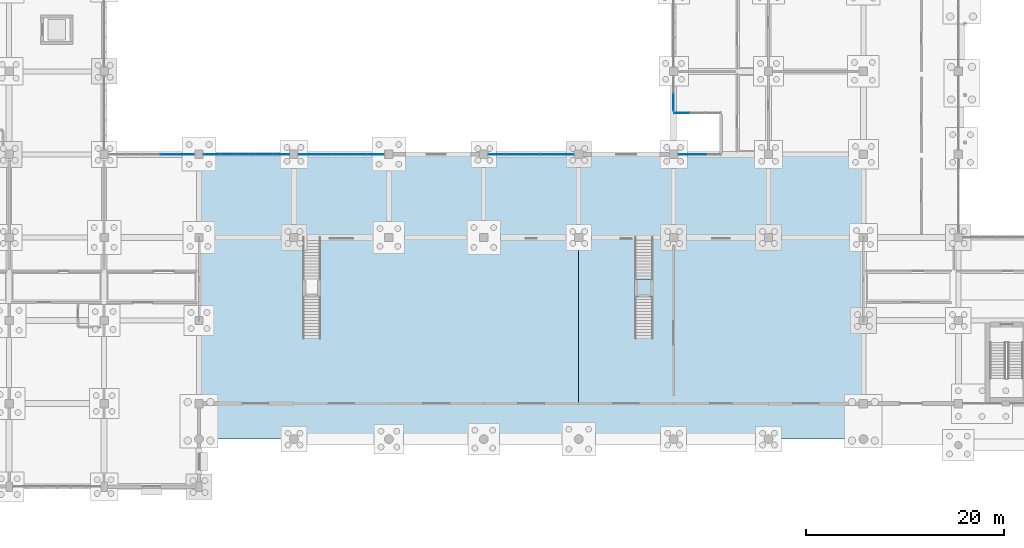
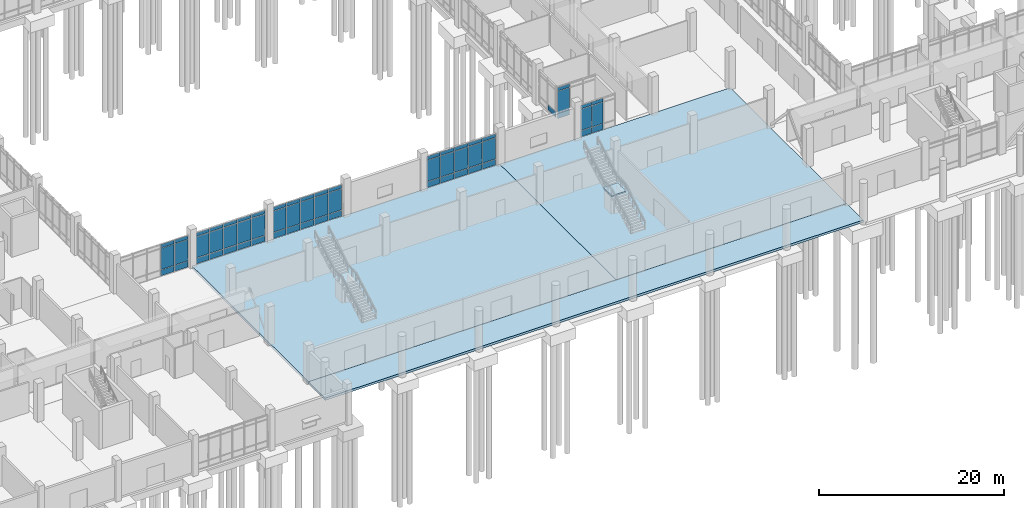
# One storey, part 75 of 136: 61 plates, 4 slabs, 8 elements without a shape of their own.
"""IFC4 building model written with IfcOpenShell, lengths in metres."""

from ifc_helpers import new_model, si_unit, direction, frame, origin, origin_2d, place, context, subcontext, project, spatial, polyline, rectangle, outline, extrude, material, layer, layer_set, type_object, element, aggregate, save


model = new_model("IFC4")

# Units and contexts
model_context = context("Model", 3, precision=1e-05, world=origin(), true_north=direction((0.0, 1.0)))
body_context = subcontext(model_context, "Body", "Model", "MODEL_VIEW")
ifc_project = project(units=[si_unit("LENGTHUNIT", "METRE"), si_unit("AREAUNIT", "SQUARE_METRE"), si_unit("VOLUMEUNIT", "CUBIC_METRE"), si_unit("PLANEANGLEUNIT", "RADIAN"), si_unit("MASSUNIT", "GRAM", prefix="KILO")], contexts=[model_context])

# Site, building, storey
site_placement = place(None, origin())
site = spatial("IfcSite", under=ifc_project, at=site_placement, CompositionType="ELEMENT")
building_placement = place(site_placement, origin())
building = spatial("IfcBuilding", under=site, at=building_placement, Name="Oolite Switchyard Hospital", CompositionType="ELEMENT")
storey_placement = place(building_placement, origin())
storey = spatial("IfcBuildingStorey", under=building, at=storey_placement, Name="L00", CompositionType="ELEMENT", Elevation=0.0)

# Curtain wall, plates
ifc_material_1 = material(Name="Thermally broken aluminum frame with laminated impact glazing", Category="aluminium")
curtain_wall_type_1 = type_object("IfcCurtainWallType", Name="CW-UNIT-96X51", PredefinedType="USERDEFINED", material=ifc_material_1)
curtain_wall_1_placement = place(storey_placement, origin())
curtain_wall_1 = element("IfcCurtainWall", 1, at=curtain_wall_1_placement, inside=storey, type_object=curtain_wall_type_1, Name="L00 Unitised Curtain Wall 14", ObjectType="UNITISED", PredefinedType="USERDEFINED")
ifc_material_2 = material(Name="Insulated fluoropolymer-coated aluminum spandrel panel", Category="aluminium")
ifc_layer_1 = layer(ifc_material_2, 0.054931640625)
ifc_layer_set_1 = layer_set([ifc_layer_1], Name="CW-PNL-SPN55")
plate_type_1 = type_object("IfcPlateType", Name="CW-PNL-SPN55", PredefinedType="CURTAIN_PANEL", material=ifc_layer_set_1)
plate_1_placement = place(storey_placement, frame((64.14404296875, 33.60009765625, 0.06005859375), z_axis=(0.0, 0.0, 1.0), x_axis=(1.0, 0.0, 0.0)))
plate_1 = element("IfcPlate", 2, at=plate_1_placement, type_object=plate_type_1, Name="CW-01 panel 4.1", PredefinedType="CURTAIN_PANEL", context=body_context, shape_type="SweptSolid", body=[
    extrude(rectangle(XDim=1.6689453125, YDim=0.054931640625, at=origin_2d()), origin(), (0.0, 0.0, 1.0), 0.760009765625),
])
plate_2_placement = place(storey_placement, frame((64.14404296875, 33.60009765625, 0.8798828125), z_axis=(0.0, 0.0, 1.0), x_axis=(1.0, 0.0, 0.0)))
plate_2 = element("IfcPlate", 3, at=plate_2_placement, type_object=plate_type_1, Name="CW-01 panel 4.2", PredefinedType="CURTAIN_PANEL", context=body_context, shape_type="SweptSolid", body=[
    extrude(rectangle(XDim=1.6689453125, YDim=0.054931640625, at=origin_2d()), origin(), (0.0, 0.0, 1.0), 2.780029296875),
])
plate_3_placement = place(storey_placement, frame((64.14404296875, 33.60009765625, 3.719970703125), z_axis=(0.0, 0.0, 1.0), x_axis=(1.0, 0.0, 0.0)))
plate_3 = element("IfcPlate", 4, at=plate_3_placement, type_object=plate_type_1, Name="CW-01 panel 4.3", PredefinedType="CURTAIN_PANEL", context=body_context, shape_type="SweptSolid", body=[
    extrude(rectangle(XDim=1.6689453125, YDim=0.054931640625, at=origin_2d()), origin(), (0.0, 0.0, 1.0), 0.4599609375),
])
plate_4_placement = place(storey_placement, frame((65.869140625, 33.60009765625, 0.06005859375), z_axis=(0.0, 0.0, 1.0), x_axis=(1.0, 0.0, 0.0)))
plate_4 = element("IfcPlate", 5, at=plate_4_placement, type_object=plate_type_1, Name="CW-01 panel 5.1", PredefinedType="CURTAIN_PANEL", context=body_context, shape_type="SweptSolid", body=[
    extrude(rectangle(XDim=1.631591796875, YDim=0.054931640625, at=origin_2d()), origin(), (0.0, 0.0, 1.0), 0.760009765625),
])
plate_5_placement = place(storey_placement, frame((65.869140625, 33.60009765625, 0.8798828125), z_axis=(0.0, 0.0, 1.0), x_axis=(1.0, 0.0, 0.0)))
plate_5 = element("IfcPlate", 6, at=plate_5_placement, type_object=plate_type_1, Name="CW-01 panel 5.2", PredefinedType="CURTAIN_PANEL", context=body_context, shape_type="SweptSolid", body=[
    extrude(rectangle(XDim=1.631591796875, YDim=0.054931640625, at=origin_2d()), origin(), (0.0, 0.0, 1.0), 2.780029296875),
])
plate_6_placement = place(storey_placement, frame((65.869140625, 33.60009765625, 3.719970703125), z_axis=(0.0, 0.0, 1.0), x_axis=(1.0, 0.0, 0.0)))
plate_6 = element("IfcPlate", 7, at=plate_6_placement, type_object=plate_type_1, Name="CW-01 panel 5.3", PredefinedType="CURTAIN_PANEL", context=body_context, shape_type="SweptSolid", body=[
    extrude(rectangle(XDim=1.631591796875, YDim=0.054931640625, at=origin_2d()), origin(), (0.0, 0.0, 1.0), 0.4599609375),
])
aggregate(curtain_wall_1, [plate_1, plate_2, plate_3, plate_4, plate_5, plate_6])

curtain_wall_type_2 = type_object("IfcCurtainWallType", Name="CW-UNIT-84X51", PredefinedType="USERDEFINED", material=ifc_material_1)
curtain_wall_2_placement = place(storey_placement, origin())
curtain_wall_2 = element("IfcCurtainWall", 8, at=curtain_wall_2_placement, inside=storey, type_object=curtain_wall_type_2, Name="L00 Unitised Curtain Wall 19", ObjectType="UNITISED", PredefinedType="USERDEFINED")
plate_7_placement = place(storey_placement, frame((116.017578125, 37.800048828125, 0.0751953125), z_axis=(0.0, 0.0, 1.0), x_axis=(-1.0, 0.0, 0.0)))
plate_7 = element("IfcPlate", 9, at=plate_7_placement, type_object=plate_type_1, Name="CW-06 panel 3.1", PredefinedType="CURTAIN_PANEL", context=body_context, shape_type="SweptSolid", body=[
    extrude(rectangle(XDim=1.4951171875, YDim=0.054931640625, at=origin_2d()), origin(), (0.0, 0.0, 1.0), 0.737548828125),
])
plate_8_placement = place(storey_placement, frame((116.017578125, 37.800048828125, 0.8876953125), z_axis=(0.0, 0.0, 1.0), x_axis=(-1.0, 0.0, 0.0)))
plate_8 = element("IfcPlate", 10, at=plate_8_placement, type_object=plate_type_1, Name="CW-06 panel 3.2", PredefinedType="CURTAIN_PANEL", context=body_context, shape_type="SweptSolid", body=[
    extrude(rectangle(XDim=1.4951171875, YDim=0.054931640625, at=origin_2d()), origin(), (0.0, 0.0, 1.0), 2.764892578125),
])
plate_9_placement = place(storey_placement, frame((116.017578125, 37.800048828125, 3.7275390625), z_axis=(0.0, 0.0, 1.0), x_axis=(-1.0, 0.0, 0.0)))
plate_9 = element("IfcPlate", 11, at=plate_9_placement, type_object=plate_type_1, Name="CW-06 panel 3.3", PredefinedType="CURTAIN_PANEL", context=body_context, shape_type="SweptSolid", body=[
    extrude(rectangle(XDim=1.4951171875, YDim=0.054931640625, at=origin_2d()), origin(), (0.0, 0.0, 1.0), 0.4375),
])
aggregate(curtain_wall_2, [plate_7, plate_8, plate_9])

curtain_wall_3_placement = place(storey_placement, origin())
curtain_wall_3 = element("IfcCurtainWall", 12, at=curtain_wall_3_placement, inside=storey, type_object=curtain_wall_type_1, Name="L00 Unitised Curtain Wall 17", ObjectType="UNITISED", PredefinedType="USERDEFINED")
ifc_layer_2 = layer(ifc_material_2, 0.070068359375)
ifc_layer_set_2 = layer_set([ifc_layer_2], Name="CW-PNL-SPN70")
plate_type_2 = type_object("IfcPlateType", Name="CW-PNL-SPN70", PredefinedType="CURTAIN_PANEL", material=ifc_layer_set_2)
plate_10_placement = place(storey_placement, frame((97.330810546875, 33.60009765625, 0.0751953125), z_axis=(0.0, 0.0, 1.0), x_axis=(1.0, 0.0, 0.0)))
plate_10 = element("IfcPlate", 13, at=plate_10_placement, type_object=plate_type_2, Name="CW-01 panel 1.1", PredefinedType="CURTAIN_PANEL", context=body_context, shape_type="SweptSolid", body=[
    extrude(rectangle(XDim=1.631591796875, YDim=0.070068359375, at=origin_2d()), origin(), (0.0, 0.0, 1.0), 0.737548828125),
])
plate_11_placement = place(storey_placement, frame((97.330810546875, 33.60009765625, 0.8876953125), z_axis=(0.0, 0.0, 1.0), x_axis=(1.0, 0.0, 0.0)))
plate_11 = element("IfcPlate", 14, at=plate_11_placement, type_object=plate_type_2, Name="CW-01 panel 1.2", PredefinedType="CURTAIN_PANEL", context=body_context, shape_type="SweptSolid", body=[
    extrude(rectangle(XDim=1.631591796875, YDim=0.070068359375, at=origin_2d()), origin(), (0.0, 0.0, 1.0), 2.764892578125),
])
plate_12_placement = place(storey_placement, frame((97.330810546875, 33.60009765625, 3.7275390625), z_axis=(0.0, 0.0, 1.0), x_axis=(1.0, 0.0, 0.0)))
plate_12 = element("IfcPlate", 15, at=plate_12_placement, type_object=plate_type_2, Name="CW-01 panel 1.3", PredefinedType="CURTAIN_PANEL", context=body_context, shape_type="SweptSolid", body=[
    extrude(rectangle(XDim=1.631591796875, YDim=0.070068359375, at=origin_2d()), origin(), (0.0, 0.0, 1.0), 0.4375),
])
plate_13_placement = place(storey_placement, frame((99.055908203125, 33.60009765625, 0.0751953125), z_axis=(0.0, 0.0, 1.0), x_axis=(1.0, 0.0, 0.0)))
plate_13 = element("IfcPlate", 16, at=plate_13_placement, type_object=plate_type_2, Name="CW-01 panel 2.1", PredefinedType="CURTAIN_PANEL", context=body_context, shape_type="SweptSolid", body=[
    extrude(rectangle(XDim=1.6689453125, YDim=0.070068359375, at=origin_2d()), origin(), (0.0, 0.0, 1.0), 0.737548828125),
])
plate_14_placement = place(storey_placement, frame((99.055908203125, 33.60009765625, 0.8876953125), z_axis=(0.0, 0.0, 1.0), x_axis=(1.0, 0.0, 0.0)))
plate_14 = element("IfcPlate", 17, at=plate_14_placement, type_object=plate_type_2, Name="CW-01 panel 2.2", PredefinedType="CURTAIN_PANEL", context=body_context, shape_type="SweptSolid", body=[
    extrude(rectangle(XDim=1.6689453125, YDim=0.070068359375, at=origin_2d()), origin(), (0.0, 0.0, 1.0), 2.764892578125),
])
plate_15_placement = place(storey_placement, frame((99.055908203125, 33.60009765625, 3.7275390625), z_axis=(0.0, 0.0, 1.0), x_axis=(1.0, 0.0, 0.0)))
plate_15 = element("IfcPlate", 18, at=plate_15_placement, type_object=plate_type_2, Name="CW-01 panel 2.3", PredefinedType="CURTAIN_PANEL", context=body_context, shape_type="SweptSolid", body=[
    extrude(rectangle(XDim=1.6689453125, YDim=0.070068359375, at=origin_2d()), origin(), (0.0, 0.0, 1.0), 0.4375),
])
plate_16_placement = place(storey_placement, frame((100.800048828125, 33.60009765625, 0.0751953125), z_axis=(0.0, 0.0, 1.0), x_axis=(1.0, 0.0, 0.0)))
plate_16 = element("IfcPlate", 19, at=plate_16_placement, type_object=plate_type_2, Name="CW-01 panel 3.1", PredefinedType="CURTAIN_PANEL", context=body_context, shape_type="SweptSolid", body=[
    extrude(rectangle(XDim=1.6689453125, YDim=0.070068359375, at=origin_2d()), origin(), (0.0, 0.0, 1.0), 0.737548828125),
])
plate_17_placement = place(storey_placement, frame((100.800048828125, 33.60009765625, 0.8876953125), z_axis=(0.0, 0.0, 1.0), x_axis=(1.0, 0.0, 0.0)))
plate_17 = element("IfcPlate", 20, at=plate_17_placement, type_object=plate_type_2, Name="CW-01 panel 3.2", PredefinedType="CURTAIN_PANEL", context=body_context, shape_type="SweptSolid", body=[
    extrude(rectangle(XDim=1.6689453125, YDim=0.070068359375, at=origin_2d()), origin(), (0.0, 0.0, 1.0), 2.764892578125),
])
plate_18_placement = place(storey_placement, frame((100.800048828125, 33.60009765625, 3.7275390625), z_axis=(0.0, 0.0, 1.0), x_axis=(1.0, 0.0, 0.0)))
plate_18 = element("IfcPlate", 21, at=plate_18_placement, type_object=plate_type_2, Name="CW-01 panel 3.3", PredefinedType="CURTAIN_PANEL", context=body_context, shape_type="SweptSolid", body=[
    extrude(rectangle(XDim=1.6689453125, YDim=0.070068359375, at=origin_2d()), origin(), (0.0, 0.0, 1.0), 0.4375),
])
plate_19_placement = place(storey_placement, frame((102.5439453125, 33.60009765625, 0.0751953125), z_axis=(0.0, 0.0, 1.0), x_axis=(1.0, 0.0, 0.0)))
plate_19 = element("IfcPlate", 22, at=plate_19_placement, type_object=plate_type_2, Name="CW-01 panel 4.1", PredefinedType="CURTAIN_PANEL", context=body_context, shape_type="SweptSolid", body=[
    extrude(rectangle(XDim=1.6689453125, YDim=0.070068359375, at=origin_2d()), origin(), (0.0, 0.0, 1.0), 0.737548828125),
])
plate_20_placement = place(storey_placement, frame((102.5439453125, 33.60009765625, 0.8876953125), z_axis=(0.0, 0.0, 1.0), x_axis=(1.0, 0.0, 0.0)))
plate_20 = element("IfcPlate", 23, at=plate_20_placement, type_object=plate_type_2, Name="CW-01 panel 4.2", PredefinedType="CURTAIN_PANEL", context=body_context, shape_type="SweptSolid", body=[
    extrude(rectangle(XDim=1.6689453125, YDim=0.070068359375, at=origin_2d()), origin(), (0.0, 0.0, 1.0), 2.764892578125),
])
plate_21_placement = place(storey_placement, frame((102.5439453125, 33.60009765625, 3.7275390625), z_axis=(0.0, 0.0, 1.0), x_axis=(1.0, 0.0, 0.0)))
plate_21 = element("IfcPlate", 24, at=plate_21_placement, type_object=plate_type_2, Name="CW-01 panel 4.3", PredefinedType="CURTAIN_PANEL", context=body_context, shape_type="SweptSolid", body=[
    extrude(rectangle(XDim=1.6689453125, YDim=0.070068359375, at=origin_2d()), origin(), (0.0, 0.0, 1.0), 0.4375),
])
plate_22_placement = place(storey_placement, frame((104.269287109375, 33.60009765625, 0.0751953125), z_axis=(0.0, 0.0, 1.0), x_axis=(1.0, 0.0, 0.0)))
plate_22 = element("IfcPlate", 25, at=plate_22_placement, type_object=plate_type_2, Name="CW-01 panel 5.1", PredefinedType="CURTAIN_PANEL", context=body_context, shape_type="SweptSolid", body=[
    extrude(rectangle(XDim=1.631591796875, YDim=0.070068359375, at=origin_2d()), origin(), (0.0, 0.0, 1.0), 0.737548828125),
])
plate_23_placement = place(storey_placement, frame((104.269287109375, 33.60009765625, 0.8876953125), z_axis=(0.0, 0.0, 1.0), x_axis=(1.0, 0.0, 0.0)))
plate_23 = element("IfcPlate", 26, at=plate_23_placement, type_object=plate_type_2, Name="CW-01 panel 5.2", PredefinedType="CURTAIN_PANEL", context=body_context, shape_type="SweptSolid", body=[
    extrude(rectangle(XDim=1.631591796875, YDim=0.070068359375, at=origin_2d()), origin(), (0.0, 0.0, 1.0), 2.764892578125),
])
plate_24_placement = place(storey_placement, frame((104.269287109375, 33.60009765625, 3.7275390625), z_axis=(0.0, 0.0, 1.0), x_axis=(1.0, 0.0, 0.0)))
plate_24 = element("IfcPlate", 27, at=plate_24_placement, type_object=plate_type_2, Name="CW-01 panel 5.3", PredefinedType="CURTAIN_PANEL", context=body_context, shape_type="SweptSolid", body=[
    extrude(rectangle(XDim=1.631591796875, YDim=0.070068359375, at=origin_2d()), origin(), (0.0, 0.0, 1.0), 0.4375),
])
aggregate(curtain_wall_3, [plate_10, plate_11, plate_12, plate_13, plate_14, plate_15, plate_16, plate_17, plate_18, plate_19, plate_20, plate_21, plate_22, plate_23, plate_24])

curtain_wall_4_placement = place(storey_placement, origin())
curtain_wall_4 = element("IfcCurtainWall", 28, at=curtain_wall_4_placement, inside=storey, type_object=curtain_wall_type_1, Name="L00 Unitised Curtain Wall 15", ObjectType="UNITISED", PredefinedType="USERDEFINED")
ifc_material_3 = material(Name="Laminated hurricane-impact insulated glazing unit", Category="glass")
ifc_layer_3 = layer(ifc_material_3, 0.028076171875)
ifc_layer_set_3 = layer_set([ifc_layer_3], Name="CW-PNL-VIS28")
plate_type_3 = type_object("IfcPlateType", Name="CW-PNL-VIS28", PredefinedType="CURTAIN_PANEL", material=ifc_layer_set_3)
plate_25_placement = place(storey_placement, frame((68.527099609375, 33.60009765625, 0.0751953125), z_axis=(0.0, 0.0, 1.0), x_axis=(1.0, 0.0, 0.0)))
plate_25 = element("IfcPlate", 29, at=plate_25_placement, type_object=plate_type_3, Name="CW-01 panel 1.1", PredefinedType="CURTAIN_PANEL", context=body_context, shape_type="SweptSolid", body=[
    extrude(rectangle(XDim=1.654052734375, YDim=0.028076171875, at=origin_2d()), origin(), (0.0, 0.0, 1.0), 0.737548828125),
])
plate_26_placement = place(storey_placement, frame((68.527099609375, 33.60009765625, 0.8876953125), z_axis=(0.0, 0.0, 1.0), x_axis=(1.0, 0.0, 0.0)))
plate_26 = element("IfcPlate", 30, at=plate_26_placement, type_object=plate_type_3, Name="CW-01 panel 1.2", PredefinedType="CURTAIN_PANEL", context=body_context, shape_type="SweptSolid", body=[
    extrude(rectangle(XDim=1.654052734375, YDim=0.028076171875, at=origin_2d()), origin(), (0.0, 0.0, 1.0), 2.764892578125),
])
plate_27_placement = place(storey_placement, frame((68.527099609375, 33.60009765625, 3.7275390625), z_axis=(0.0, 0.0, 1.0), x_axis=(1.0, 0.0, 0.0)))
plate_27 = element("IfcPlate", 31, at=plate_27_placement, type_object=plate_type_3, Name="CW-01 panel 1.3", PredefinedType="CURTAIN_PANEL", context=body_context, shape_type="SweptSolid", body=[
    extrude(rectangle(XDim=1.654052734375, YDim=0.028076171875, at=origin_2d()), origin(), (0.0, 0.0, 1.0), 0.4375),
])
plate_28_placement = place(storey_placement, frame((70.256103515625, 33.60009765625, 0.0751953125), z_axis=(0.0, 0.0, 1.0), x_axis=(1.0, 0.0, 0.0)))
plate_28 = element("IfcPlate", 32, at=plate_28_placement, type_object=plate_type_3, Name="CW-01 panel 2.1", PredefinedType="CURTAIN_PANEL", context=body_context, shape_type="SweptSolid", body=[
    extrude(rectangle(XDim=1.68408203125, YDim=0.028076171875, at=origin_2d()), origin(), (0.0, 0.0, 1.0), 0.737548828125),
])
plate_29_placement = place(storey_placement, frame((70.256103515625, 33.60009765625, 0.8876953125), z_axis=(0.0, 0.0, 1.0), x_axis=(1.0, 0.0, 0.0)))
plate_29 = element("IfcPlate", 33, at=plate_29_placement, type_object=plate_type_3, Name="CW-01 panel 2.2", PredefinedType="CURTAIN_PANEL", context=body_context, shape_type="SweptSolid", body=[
    extrude(rectangle(XDim=1.68408203125, YDim=0.028076171875, at=origin_2d()), origin(), (0.0, 0.0, 1.0), 2.764892578125),
])
plate_30_placement = place(storey_placement, frame((70.256103515625, 33.60009765625, 3.7275390625), z_axis=(0.0, 0.0, 1.0), x_axis=(1.0, 0.0, 0.0)))
plate_30 = element("IfcPlate", 34, at=plate_30_placement, type_object=plate_type_3, Name="CW-01 panel 2.3", PredefinedType="CURTAIN_PANEL", context=body_context, shape_type="SweptSolid", body=[
    extrude(rectangle(XDim=1.68408203125, YDim=0.028076171875, at=origin_2d()), origin(), (0.0, 0.0, 1.0), 0.4375),
])
plate_31_placement = place(storey_placement, frame((72.0, 33.60009765625, 0.0751953125), z_axis=(0.0, 0.0, 1.0), x_axis=(1.0, 0.0, 0.0)))
plate_31 = element("IfcPlate", 35, at=plate_31_placement, type_object=plate_type_3, Name="CW-01 panel 3.1", PredefinedType="CURTAIN_PANEL", context=body_context, shape_type="SweptSolid", body=[
    extrude(rectangle(XDim=1.68408203125, YDim=0.028076171875, at=origin_2d()), origin(), (0.0, 0.0, 1.0), 0.737548828125),
])
plate_32_placement = place(storey_placement, frame((72.0, 33.60009765625, 0.8876953125), z_axis=(0.0, 0.0, 1.0), x_axis=(1.0, 0.0, 0.0)))
plate_32 = element("IfcPlate", 36, at=plate_32_placement, type_object=plate_type_3, Name="CW-01 panel 3.2", PredefinedType="CURTAIN_PANEL", context=body_context, shape_type="SweptSolid", body=[
    extrude(rectangle(XDim=1.68408203125, YDim=0.028076171875, at=origin_2d()), origin(), (0.0, 0.0, 1.0), 2.764892578125),
])
plate_33_placement = place(storey_placement, frame((72.0, 33.60009765625, 3.7275390625), z_axis=(0.0, 0.0, 1.0), x_axis=(1.0, 0.0, 0.0)))
plate_33 = element("IfcPlate", 37, at=plate_33_placement, type_object=plate_type_3, Name="CW-01 panel 3.3", PredefinedType="CURTAIN_PANEL", context=body_context, shape_type="SweptSolid", body=[
    extrude(rectangle(XDim=1.68408203125, YDim=0.028076171875, at=origin_2d()), origin(), (0.0, 0.0, 1.0), 0.4375),
])
plate_34_placement = place(storey_placement, frame((73.743896484375, 33.60009765625, 0.0751953125), z_axis=(0.0, 0.0, 1.0), x_axis=(1.0, 0.0, 0.0)))
plate_34 = element("IfcPlate", 38, at=plate_34_placement, type_object=plate_type_3, Name="CW-01 panel 4.1", PredefinedType="CURTAIN_PANEL", context=body_context, shape_type="SweptSolid", body=[
    extrude(rectangle(XDim=1.68408203125, YDim=0.028076171875, at=origin_2d()), origin(), (0.0, 0.0, 1.0), 0.737548828125),
])
plate_35_placement = place(storey_placement, frame((73.743896484375, 33.60009765625, 0.8876953125), z_axis=(0.0, 0.0, 1.0), x_axis=(1.0, 0.0, 0.0)))
plate_35 = element("IfcPlate", 39, at=plate_35_placement, type_object=plate_type_3, Name="CW-01 panel 4.2", PredefinedType="CURTAIN_PANEL", context=body_context, shape_type="SweptSolid", body=[
    extrude(rectangle(XDim=1.68408203125, YDim=0.028076171875, at=origin_2d()), origin(), (0.0, 0.0, 1.0), 2.764892578125),
])
plate_36_placement = place(storey_placement, frame((73.743896484375, 33.60009765625, 3.7275390625), z_axis=(0.0, 0.0, 1.0), x_axis=(1.0, 0.0, 0.0)))
plate_36 = element("IfcPlate", 40, at=plate_36_placement, type_object=plate_type_3, Name="CW-01 panel 4.3", PredefinedType="CURTAIN_PANEL", context=body_context, shape_type="SweptSolid", body=[
    extrude(rectangle(XDim=1.68408203125, YDim=0.028076171875, at=origin_2d()), origin(), (0.0, 0.0, 1.0), 0.4375),
])
plate_37_placement = place(storey_placement, frame((75.472900390625, 33.60009765625, 0.0751953125), z_axis=(0.0, 0.0, 1.0), x_axis=(1.0, 0.0, 0.0)))
plate_37 = element("IfcPlate", 41, at=plate_37_placement, type_object=plate_type_3, Name="CW-01 panel 5.1", PredefinedType="CURTAIN_PANEL", context=body_context, shape_type="SweptSolid", body=[
    extrude(rectangle(XDim=1.654052734375, YDim=0.028076171875, at=origin_2d()), origin(), (0.0, 0.0, 1.0), 0.737548828125),
])
plate_38_placement = place(storey_placement, frame((75.472900390625, 33.60009765625, 0.8876953125), z_axis=(0.0, 0.0, 1.0), x_axis=(1.0, 0.0, 0.0)))
plate_38 = element("IfcPlate", 42, at=plate_38_placement, type_object=plate_type_3, Name="CW-01 panel 5.2", PredefinedType="CURTAIN_PANEL", context=body_context, shape_type="SweptSolid", body=[
    extrude(rectangle(XDim=1.654052734375, YDim=0.028076171875, at=origin_2d()), origin(), (0.0, 0.0, 1.0), 2.764892578125),
])
plate_39_placement = place(storey_placement, frame((75.472900390625, 33.60009765625, 3.7275390625), z_axis=(0.0, 0.0, 1.0), x_axis=(1.0, 0.0, 0.0)))
plate_39 = element("IfcPlate", 43, at=plate_39_placement, type_object=plate_type_3, Name="CW-01 panel 5.3", PredefinedType="CURTAIN_PANEL", context=body_context, shape_type="SweptSolid", body=[
    extrude(rectangle(XDim=1.654052734375, YDim=0.028076171875, at=origin_2d()), origin(), (0.0, 0.0, 1.0), 0.4375),
])
aggregate(curtain_wall_4, [plate_25, plate_26, plate_27, plate_28, plate_29, plate_30, plate_31, plate_32, plate_33, plate_34, plate_35, plate_36, plate_37, plate_38, plate_39])

# Curtain wall, plate
curtain_wall_5_placement = place(storey_placement, origin())
curtain_wall_5 = element("IfcCurtainWall", 44, at=curtain_wall_5_placement, inside=storey, type_object=curtain_wall_type_2, Name="L00 Unitised Curtain Wall 67", ObjectType="UNITISED", PredefinedType="USERDEFINED")
plate_40_placement = place(storey_placement, frame((115.199951171875, 38.87744140625, 0.0751953125), z_axis=(0.0, 0.0, 1.0), x_axis=(0.0, 1.0, 0.0)))
plate_40 = element("IfcPlate", 45, at=plate_40_placement, type_object=plate_type_3, Name="CW-06 panel 1.1", PredefinedType="CURTAIN_PANEL", context=body_context, shape_type="SweptSolid", body=[
    extrude(rectangle(XDim=1.695068359375, YDim=0.028076171875, at=origin_2d()), origin(), (0.0, 0.0, 1.0), 0.737548828125),
])
aggregate(curtain_wall_5, [plate_40])

# Curtain wall, plates
curtain_wall_6_placement = place(storey_placement, origin())
curtain_wall_6 = element("IfcCurtainWall", 46, at=curtain_wall_6_placement, inside=storey, type_object=curtain_wall_type_1, Name="L00 Unitised Curtain Wall 16", ObjectType="UNITISED", PredefinedType="USERDEFINED")
ifc_layer_4 = layer(ifc_material_3, 0.035888671875)
ifc_layer_set_4 = layer_set([ifc_layer_4], Name="CW-PNL-VIS36")
plate_type_4 = type_object("IfcPlateType", Name="CW-PNL-VIS36", PredefinedType="CURTAIN_PANEL", material=ifc_layer_set_4)
plate_41_placement = place(storey_placement, frame((78.12939453125, 33.60009765625, 0.06005859375), z_axis=(0.0, 0.0, 1.0), x_axis=(1.0, 0.0, 0.0)))
plate_41 = element("IfcPlate", 47, at=plate_41_placement, type_object=plate_type_4, Name="CW-01 panel 1.1", PredefinedType="CURTAIN_PANEL", context=body_context, shape_type="SweptSolid", body=[
    extrude(rectangle(XDim=1.638916015625, YDim=0.035888671875, at=origin_2d()), origin(), (0.0, 0.0, 1.0), 0.760009765625),
])
plate_42_placement = place(storey_placement, frame((78.12939453125, 33.60009765625, 0.8798828125), z_axis=(0.0, 0.0, 1.0), x_axis=(1.0, 0.0, 0.0)))
plate_42 = element("IfcPlate", 48, at=plate_42_placement, type_object=plate_type_4, Name="CW-01 panel 1.2", PredefinedType="CURTAIN_PANEL", context=body_context, shape_type="SweptSolid", body=[
    extrude(rectangle(XDim=1.638916015625, YDim=0.035888671875, at=origin_2d()), origin(), (0.0, 0.0, 1.0), 2.780029296875),
])
plate_43_placement = place(storey_placement, frame((78.12939453125, 33.60009765625, 3.719970703125), z_axis=(0.0, 0.0, 1.0), x_axis=(1.0, 0.0, 0.0)))
plate_43 = element("IfcPlate", 49, at=plate_43_placement, type_object=plate_type_4, Name="CW-01 panel 1.3", PredefinedType="CURTAIN_PANEL", context=body_context, shape_type="SweptSolid", body=[
    extrude(rectangle(XDim=1.638916015625, YDim=0.035888671875, at=origin_2d()), origin(), (0.0, 0.0, 1.0), 0.4599609375),
])
plate_44_placement = place(storey_placement, frame((79.85595703125, 33.60009765625, 0.06005859375), z_axis=(0.0, 0.0, 1.0), x_axis=(1.0, 0.0, 0.0)))
plate_44 = element("IfcPlate", 50, at=plate_44_placement, type_object=plate_type_4, Name="CW-01 panel 2.1", PredefinedType="CURTAIN_PANEL", context=body_context, shape_type="SweptSolid", body=[
    extrude(rectangle(XDim=1.674072265625, YDim=0.035888671875, at=origin_2d()), origin(), (0.0, 0.0, 1.0), 0.760009765625),
])
plate_45_placement = place(storey_placement, frame((79.85595703125, 33.60009765625, 0.8798828125), z_axis=(0.0, 0.0, 1.0), x_axis=(1.0, 0.0, 0.0)))
plate_45 = element("IfcPlate", 51, at=plate_45_placement, type_object=plate_type_4, Name="CW-01 panel 2.2", PredefinedType="CURTAIN_PANEL", context=body_context, shape_type="SweptSolid", body=[
    extrude(rectangle(XDim=1.674072265625, YDim=0.035888671875, at=origin_2d()), origin(), (0.0, 0.0, 1.0), 2.780029296875),
])
plate_46_placement = place(storey_placement, frame((79.85595703125, 33.60009765625, 3.719970703125), z_axis=(0.0, 0.0, 1.0), x_axis=(1.0, 0.0, 0.0)))
plate_46 = element("IfcPlate", 52, at=plate_46_placement, type_object=plate_type_4, Name="CW-01 panel 2.3", PredefinedType="CURTAIN_PANEL", context=body_context, shape_type="SweptSolid", body=[
    extrude(rectangle(XDim=1.674072265625, YDim=0.035888671875, at=origin_2d()), origin(), (0.0, 0.0, 1.0), 0.4599609375),
])
plate_47_placement = place(storey_placement, frame((81.60009765625, 33.60009765625, 0.06005859375), z_axis=(0.0, 0.0, 1.0), x_axis=(1.0, 0.0, 0.0)))
plate_47 = element("IfcPlate", 53, at=plate_47_placement, type_object=plate_type_4, Name="CW-01 panel 3.1", PredefinedType="CURTAIN_PANEL", context=body_context, shape_type="SweptSolid", body=[
    extrude(rectangle(XDim=1.674072265625, YDim=0.035888671875, at=origin_2d()), origin(), (0.0, 0.0, 1.0), 0.760009765625),
])
plate_48_placement = place(storey_placement, frame((81.60009765625, 33.60009765625, 0.8798828125), z_axis=(0.0, 0.0, 1.0), x_axis=(1.0, 0.0, 0.0)))
plate_48 = element("IfcPlate", 54, at=plate_48_placement, type_object=plate_type_4, Name="CW-01 panel 3.2", PredefinedType="CURTAIN_PANEL", context=body_context, shape_type="SweptSolid", body=[
    extrude(rectangle(XDim=1.674072265625, YDim=0.035888671875, at=origin_2d()), origin(), (0.0, 0.0, 1.0), 2.780029296875),
])
plate_49_placement = place(storey_placement, frame((81.60009765625, 33.60009765625, 3.719970703125), z_axis=(0.0, 0.0, 1.0), x_axis=(1.0, 0.0, 0.0)))
plate_49 = element("IfcPlate", 55, at=plate_49_placement, type_object=plate_type_4, Name="CW-01 panel 3.3", PredefinedType="CURTAIN_PANEL", context=body_context, shape_type="SweptSolid", body=[
    extrude(rectangle(XDim=1.674072265625, YDim=0.035888671875, at=origin_2d()), origin(), (0.0, 0.0, 1.0), 0.4599609375),
])
plate_50_placement = place(storey_placement, frame((83.343994140625, 33.60009765625, 0.06005859375), z_axis=(0.0, 0.0, 1.0), x_axis=(1.0, 0.0, 0.0)))
plate_50 = element("IfcPlate", 56, at=plate_50_placement, type_object=plate_type_4, Name="CW-01 panel 4.1", PredefinedType="CURTAIN_PANEL", context=body_context, shape_type="SweptSolid", body=[
    extrude(rectangle(XDim=1.674072265625, YDim=0.035888671875, at=origin_2d()), origin(), (0.0, 0.0, 1.0), 0.760009765625),
])
plate_51_placement = place(storey_placement, frame((83.343994140625, 33.60009765625, 0.8798828125), z_axis=(0.0, 0.0, 1.0), x_axis=(1.0, 0.0, 0.0)))
plate_51 = element("IfcPlate", 57, at=plate_51_placement, type_object=plate_type_4, Name="CW-01 panel 4.2", PredefinedType="CURTAIN_PANEL", context=body_context, shape_type="SweptSolid", body=[
    extrude(rectangle(XDim=1.674072265625, YDim=0.035888671875, at=origin_2d()), origin(), (0.0, 0.0, 1.0), 2.780029296875),
])
plate_52_placement = place(storey_placement, frame((83.343994140625, 33.60009765625, 3.719970703125), z_axis=(0.0, 0.0, 1.0), x_axis=(1.0, 0.0, 0.0)))
plate_52 = element("IfcPlate", 58, at=plate_52_placement, type_object=plate_type_4, Name="CW-01 panel 4.3", PredefinedType="CURTAIN_PANEL", context=body_context, shape_type="SweptSolid", body=[
    extrude(rectangle(XDim=1.674072265625, YDim=0.035888671875, at=origin_2d()), origin(), (0.0, 0.0, 1.0), 0.4599609375),
])
plate_53_placement = place(storey_placement, frame((85.070556640625, 33.60009765625, 0.06005859375), z_axis=(0.0, 0.0, 1.0), x_axis=(1.0, 0.0, 0.0)))
plate_53 = element("IfcPlate", 59, at=plate_53_placement, type_object=plate_type_4, Name="CW-01 panel 5.1", PredefinedType="CURTAIN_PANEL", context=body_context, shape_type="SweptSolid", body=[
    extrude(rectangle(XDim=1.638916015625, YDim=0.035888671875, at=origin_2d()), origin(), (0.0, 0.0, 1.0), 0.760009765625),
])
plate_54_placement = place(storey_placement, frame((85.070556640625, 33.60009765625, 0.8798828125), z_axis=(0.0, 0.0, 1.0), x_axis=(1.0, 0.0, 0.0)))
plate_54 = element("IfcPlate", 60, at=plate_54_placement, type_object=plate_type_4, Name="CW-01 panel 5.2", PredefinedType="CURTAIN_PANEL", context=body_context, shape_type="SweptSolid", body=[
    extrude(rectangle(XDim=1.638916015625, YDim=0.035888671875, at=origin_2d()), origin(), (0.0, 0.0, 1.0), 2.780029296875),
])
plate_55_placement = place(storey_placement, frame((85.070556640625, 33.60009765625, 3.719970703125), z_axis=(0.0, 0.0, 1.0), x_axis=(1.0, 0.0, 0.0)))
plate_55 = element("IfcPlate", 61, at=plate_55_placement, type_object=plate_type_4, Name="CW-01 panel 5.3", PredefinedType="CURTAIN_PANEL", context=body_context, shape_type="SweptSolid", body=[
    extrude(rectangle(XDim=1.638916015625, YDim=0.035888671875, at=origin_2d()), origin(), (0.0, 0.0, 1.0), 0.4599609375),
])
aggregate(curtain_wall_6, [plate_41, plate_42, plate_43, plate_44, plate_45, plate_46, plate_47, plate_48, plate_49, plate_50, plate_51, plate_52, plate_53, plate_54, plate_55])

curtain_wall_7_placement = place(storey_placement, origin())
curtain_wall_7 = element("IfcCurtainWall", 62, at=curtain_wall_7_placement, inside=storey, type_object=curtain_wall_type_2, Name="L00 Unitised Curtain Wall 18", ObjectType="UNITISED", PredefinedType="USERDEFINED")
plate_56_placement = place(storey_placement, frame((116.381591796875, 33.60009765625, 0.06005859375), z_axis=(0.0, 0.0, 1.0), x_axis=(1.0, 0.0, 0.0)))
plate_56 = element("IfcPlate", 63, at=plate_56_placement, type_object=plate_type_4, Name="CW-06 panel 1.1", PredefinedType="CURTAIN_PANEL", context=body_context, shape_type="SweptSolid", body=[
    extrude(rectangle(XDim=1.36328125, YDim=0.035888671875, at=origin_2d()), origin(), (0.0, 0.0, 1.0), 0.760009765625),
])
plate_57_placement = place(storey_placement, frame((116.381591796875, 33.60009765625, 0.8798828125), z_axis=(0.0, 0.0, 1.0), x_axis=(1.0, 0.0, 0.0)))
plate_57 = element("IfcPlate", 64, at=plate_57_placement, type_object=plate_type_4, Name="CW-06 panel 1.2", PredefinedType="CURTAIN_PANEL", context=body_context, shape_type="SweptSolid", body=[
    extrude(rectangle(XDim=1.36328125, YDim=0.035888671875, at=origin_2d()), origin(), (0.0, 0.0, 1.0), 2.780029296875),
])
plate_58_placement = place(storey_placement, frame((116.381591796875, 33.60009765625, 3.719970703125), z_axis=(0.0, 0.0, 1.0), x_axis=(1.0, 0.0, 0.0)))
plate_58 = element("IfcPlate", 65, at=plate_58_placement, type_object=plate_type_4, Name="CW-06 panel 1.3", PredefinedType="CURTAIN_PANEL", context=body_context, shape_type="SweptSolid", body=[
    extrude(rectangle(XDim=1.36328125, YDim=0.035888671875, at=origin_2d()), origin(), (0.0, 0.0, 1.0), 0.4599609375),
])
plate_59_placement = place(storey_placement, frame((117.820068359375, 33.60009765625, 0.06005859375), z_axis=(0.0, 0.0, 1.0), x_axis=(1.0, 0.0, 0.0)))
plate_59 = element("IfcPlate", 66, at=plate_59_placement, type_object=plate_type_4, Name="CW-06 panel 2.1", PredefinedType="CURTAIN_PANEL", context=body_context, shape_type="SweptSolid", body=[
    extrude(rectangle(XDim=1.393310546875, YDim=0.035888671875, at=origin_2d()), origin(), (0.0, 0.0, 1.0), 0.760009765625),
])
plate_60_placement = place(storey_placement, frame((117.820068359375, 33.60009765625, 0.8798828125), z_axis=(0.0, 0.0, 1.0), x_axis=(1.0, 0.0, 0.0)))
plate_60 = element("IfcPlate", 67, at=plate_60_placement, type_object=plate_type_4, Name="CW-06 panel 2.2", PredefinedType="CURTAIN_PANEL", context=body_context, shape_type="SweptSolid", body=[
    extrude(rectangle(XDim=1.393310546875, YDim=0.035888671875, at=origin_2d()), origin(), (0.0, 0.0, 1.0), 2.780029296875),
])
plate_61_placement = place(storey_placement, frame((117.820068359375, 33.60009765625, 3.719970703125), z_axis=(0.0, 0.0, 1.0), x_axis=(1.0, 0.0, 0.0)))
plate_61 = element("IfcPlate", 68, at=plate_61_placement, type_object=plate_type_4, Name="CW-06 panel 2.3", PredefinedType="CURTAIN_PANEL", context=body_context, shape_type="SweptSolid", body=[
    extrude(rectangle(XDim=1.393310546875, YDim=0.035888671875, at=origin_2d()), origin(), (0.0, 0.0, 1.0), 0.4599609375),
])
aggregate(curtain_wall_7, [plate_56, plate_57, plate_58, plate_59, plate_60, plate_61])

# Slabs
ifc_material_4 = material(Name="Concrete C40/50", Category="concrete")
ifc_layer_5 = layer(ifc_material_4, 0.35009765625)
ifc_layer_set_5 = layer_set([ifc_layer_5], Name="SLB-BASE-350")
slab_type_1 = type_object("IfcSlabType", Name="SLB-BASE-350", PredefinedType="BASESLAB", material=ifc_layer_set_5)
slab_1_placement = place(storey_placement, frame((0.0, 0.0, -0.35009765625)))
element("IfcSlab", 69, at=slab_1_placement, inside=storey, type_object=slab_type_1, Name="L00 V1 Slab V1A", PredefinedType="BASESLAB", context=body_context, shape_type="SweptSolid", body=[
    extrude(outline(polyline([(67.199951171875, 8.39990234375), (105.60009765625, 8.39990234375), (105.60009765625, 33.60009765625), (67.199951171875, 33.60009765625), (67.199951171875, 8.39990234375)])), origin(), (0.0, 0.0, 1.0), 0.35009765625),
])
slab_2_placement = place(storey_placement, frame((0.0, 0.0, -0.35009765625)))
element("IfcSlab", 70, at=slab_2_placement, inside=storey, type_object=slab_type_1, Name="L00 V1 Slab V1B", PredefinedType="BASESLAB", context=body_context, shape_type="SweptSolid", body=[
    extrude(outline(polyline([(105.60009765625, 8.39990234375), (134.39990234375, 8.39990234375), (134.39990234375, 33.60009765625), (105.60009765625, 33.60009765625), (105.60009765625, 8.39990234375)])), origin(), (0.0, 0.0, 1.0), 0.35009765625),
])
ifc_layer_6 = layer(ifc_material_4, 0.300048828125)
ifc_layer_set_6 = layer_set([ifc_layer_6], Name="SLB-BASE-EXT-300")
slab_type_2 = type_object("IfcSlabType", Name="SLB-BASE-EXT-300", PredefinedType="BASESLAB", material=ifc_layer_set_6)
slab_3_placement = place(storey_placement, frame((0.0, 0.0, -0.300048828125)))
element("IfcSlab", 71, at=slab_3_placement, inside=storey, type_object=slab_type_2, Name="L00 V1 Slab V1P", PredefinedType="BASESLAB", context=body_context, shape_type="SweptSolid", body=[
    extrude(outline(polyline([(67.199951171875, 4.800048828125), (134.39990234375, 4.800048828125), (134.39990234375, 8.39990234375), (67.199951171875, 8.39990234375), (67.199951171875, 4.800048828125)])), origin(), (0.0, 0.0, 1.0), 0.300048828125),
])

# Stair, slab
stair_type = type_object("IfcStairType", Name="STR-MON-180-R30", PredefinedType="STRAIGHT_RUN_STAIR", material=ifc_material_4)
stair_placement = place(storey_placement, origin())
stair = element("IfcStair", 72, at=stair_placement, inside=storey, type_object=stair_type, Name="L00 Monumental Arrival Stair ST-M02", PredefinedType="STRAIGHT_RUN_STAIR")
ifc_layer_7 = layer(ifc_material_4, 0.199951171875)
ifc_layer_set_7 = layer_set([ifc_layer_7], Name="SLB-LND-200")
slab_type_3 = type_object("IfcSlabType", Name="SLB-LND-200", PredefinedType="LANDING", material=ifc_layer_set_7)
slab_4_placement = place(storey_placement, frame((0.0, 0.0, 2.35009765625)))
slab_4 = element("IfcSlab", 73, at=slab_4_placement, type_object=slab_type_3, Name="ST-M02 landing 1", PredefinedType="LANDING", context=body_context, shape_type="SweptSolid", body=[
    extrude(outline(polyline([(111.300048828125, 19.199951171875), (113.10009765625, 19.199951171875), (113.10009765625, 21.0), (111.300048828125, 21.0), (111.300048828125, 19.199951171875)])), origin(), (0.0, 0.0, 1.0), 0.199951171875),
])
aggregate(stair, [slab_4])

save(model, "model.ifc")
